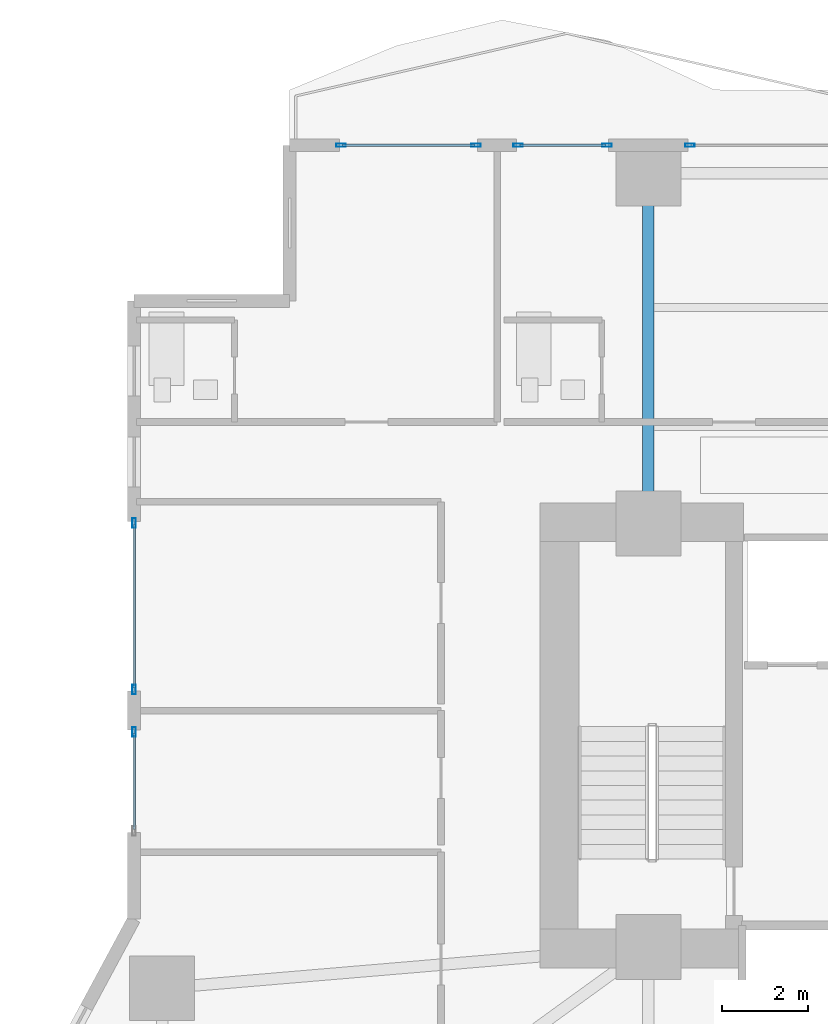
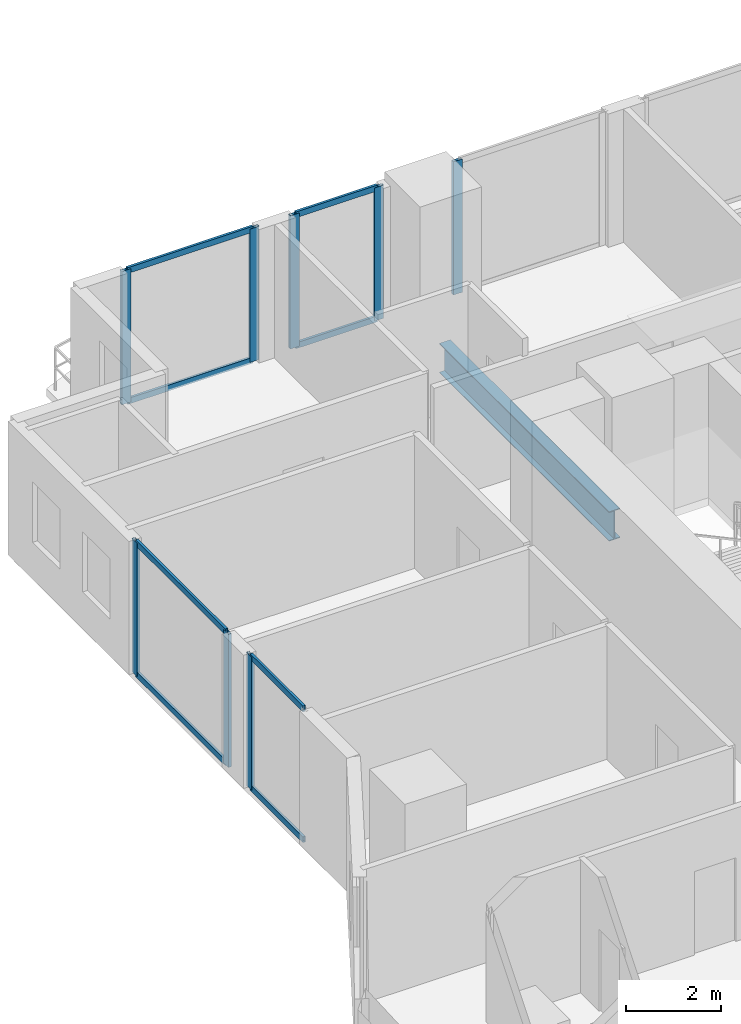
# One storey, part 13 of 29: 16 members, 1 beam, 5 elements without a shape of their own.
"""IFC4 building model written with IfcOpenShell, lengths in metres."""

from ifc_helpers import new_model, si_unit, direction, frame, origin, origin_2d, place, context, subcontext, project, spatial, hollow_rectangle, i_section, extrude, material, layer, layer_set, material_profile, profile_set, type_object, element, aggregate, save


model = new_model("IFC4")

# Units and contexts
model_context = context("Model", 3, precision=1e-05, world=origin(), true_north=direction((0.0, 1.0)))
body_context = subcontext(model_context, "Body", "Model", "MODEL_VIEW")
ifc_project = project(units=[si_unit("LENGTHUNIT", "METRE"), si_unit("AREAUNIT", "SQUARE_METRE"), si_unit("VOLUMEUNIT", "CUBIC_METRE"), si_unit("PLANEANGLEUNIT", "RADIAN"), si_unit("MASSUNIT", "GRAM", prefix="KILO")], contexts=[model_context])

# Site, building, storey
site_placement = place(None, origin())
site = spatial("IfcSite", under=ifc_project, at=site_placement, CompositionType="ELEMENT")
building_placement = place(site_placement, origin())
building = spatial("IfcBuilding", under=site, at=building_placement, Name="Zuhayl Quay Hotel", CompositionType="ELEMENT")
storey_placement = place(building_placement, frame((0.0, 0.0, 38.550048828125)))
storey = spatial("IfcBuildingStorey", under=building, at=storey_placement, Name="L08", CompositionType="ELEMENT", Elevation=38.550048828125)

# Beam
ifc_material_1 = material(Name="Steel ASTM A992 Grade 50", Category="steel")
ifc_material_profile_1 = material_profile(ifc_material_1, i_section(OverallWidth=0.26708984375, OverallDepth=0.761962890625, WebThickness=0.014404296875, FlangeThickness=0.021484375, at=origin_2d()), Name="W30X116")
ifc_profile_set_1 = profile_set([ifc_material_profile_1], Name="Steel ASTM A992 Grade 50")
beam_type = type_object("IfcBeamType", Name="BM_B1_W30X116", PredefinedType="BEAM", material=ifc_profile_set_1)
beam_placement = place(storey_placement, frame((-13.800048828125, 14.800048828125, -0.60107421875), z_axis=(0.0, 1.0, 0.0), x_axis=(-1.0, 0.0, 0.0)))
element("IfcBeam", 1, at=beam_placement, inside=storey, type_object=beam_type, Name="L08 Floor Beam FG_N_L08_1", PredefinedType="BEAM", context=body_context, shape_type="SweptSolid", body=[
    extrude(i_section(OverallWidth=0.26708984375, OverallDepth=0.761962890625, WebThickness=0.014404296875, FlangeThickness=0.021484375, at=origin_2d()), origin(), (0.0, 0.0, 1.0), 7.14990234375),
])

# Curtain wall, member
ifc_material_2 = material(Name="Anodised Aluminium 6063-T6", Category="aluminium")
ifc_layer = layer(ifc_material_2, 0.18994140625, Name="Anodised Aluminium 6063-T6", Category="aluminium")
ifc_layer_set = layer_set([ifc_layer], Name="Anodised Aluminium 6063-T6")
curtain_wall_type = type_object("IfcCurtainWallType", Name="CW_SYS_Z1", PredefinedType="USERDEFINED", material=ifc_layer_set)
curtain_wall_1_placement = place(storey_placement, origin())
curtain_wall_1 = element("IfcCurtainWall", 2, at=curtain_wall_1_placement, inside=storey, type_object=curtain_wall_type, Name="L08 Curtain Wall ENV_L08_E05_CW1", ObjectType="UNITISED CURTAIN WALL", PredefinedType="USERDEFINED")
ifc_material_3 = material(Name="Black-anodised aluminium 6063-T6", Category="aluminium")
ifc_material_profile_2 = material_profile(ifc_material_3, hollow_rectangle(XDim=0.074951171875, YDim=0.219970703125, WallThickness=0.00390625, at=origin_2d()), Name="ALU220X75")
ifc_profile_set_2 = profile_set([ifc_material_profile_2], Name="Black-anodised aluminium 6063-T6")
member_type_1 = type_object("IfcMemberType", Name="MB_CW_MUL_220", PredefinedType="MULLION", material=ifc_profile_set_2)
member_1_placement = place(storey_placement, frame((-25.699951171875, 9.532470703125, 0.0), z_axis=(0.0, 0.0, 1.0), x_axis=(-1.0, 0.0, 0.0)))
member_1 = element("IfcMember", 3, at=member_1_placement, type_object=member_type_1, Name="CW-Z1 mullion 2", PredefinedType="MULLION", context=body_context, shape_type="SweptSolid", body=[
    extrude(hollow_rectangle(XDim=0.074951171875, YDim=0.219970703125, WallThickness=0.00390625, at=origin_2d()), origin(), (0.0, 0.0, 1.0), 3.429931640625),
])

# Curtain wall, members
curtain_wall_2_placement = place(storey_placement, origin())
curtain_wall_2 = element("IfcCurtainWall", 4, at=curtain_wall_2_placement, inside=storey, type_object=curtain_wall_type, Name="L08 Curtain Wall ENV_L08_E05_CW2", ObjectType="UNITISED CURTAIN WALL", PredefinedType="USERDEFINED")
member_2_placement = place(storey_placement, frame((-25.699951171875, 10.507568359375, 0.0), z_axis=(0.0, 0.0, 1.0), x_axis=(-1.0, 0.0, 0.0)))
member_2 = element("IfcMember", 5, at=member_2_placement, type_object=member_type_1, Name="CW-Z1 mullion 1", PredefinedType="MULLION", context=body_context, shape_type="SweptSolid", body=[
    extrude(hollow_rectangle(XDim=0.074951171875, YDim=0.219970703125, WallThickness=0.00390625, at=origin_2d()), origin(), (0.0, 0.0, 1.0), 3.429931640625),
])
member_3_placement = place(storey_placement, frame((-25.699951171875, 14.362548828125, 0.0), z_axis=(0.0, 0.0, 1.0), x_axis=(-1.0, 0.0, 0.0)))
member_3 = element("IfcMember", 6, at=member_3_placement, type_object=member_type_1, Name="CW-Z1 mullion 2", PredefinedType="MULLION", context=body_context, shape_type="SweptSolid", body=[
    extrude(hollow_rectangle(XDim=0.074951171875, YDim=0.219970703125, WallThickness=0.00390625, at=origin_2d()), origin(), (0.0, 0.0, 1.0), 3.429931640625),
])

curtain_wall_3_placement = place(storey_placement, origin())
curtain_wall_3 = element("IfcCurtainWall", 7, at=curtain_wall_3_placement, inside=storey, type_object=curtain_wall_type, Name="L08 Curtain Wall ENV_L08_N_CW1", ObjectType="UNITISED CURTAIN WALL", PredefinedType="USERDEFINED")
member_4_placement = place(storey_placement, frame((-20.91259765625, 23.10009765625, 0.0), z_axis=(0.0, 0.0, 1.0), x_axis=(0.0, 1.0, 0.0)))
member_4 = element("IfcMember", 8, at=member_4_placement, type_object=member_type_1, Name="CW-Z1 mullion 1", PredefinedType="MULLION", context=body_context, shape_type="SweptSolid", body=[
    extrude(hollow_rectangle(XDim=0.074951171875, YDim=0.219970703125, WallThickness=0.00390625, at=origin_2d()), origin(), (0.0, 0.0, 1.0), 3.429931640625),
])
member_5_placement = place(storey_placement, frame((-17.78759765625, 23.10009765625, 0.0), z_axis=(0.0, 0.0, 1.0), x_axis=(0.0, 1.0, 0.0)))
member_5 = element("IfcMember", 9, at=member_5_placement, type_object=member_type_1, Name="CW-Z1 mullion 2", PredefinedType="MULLION", context=body_context, shape_type="SweptSolid", body=[
    extrude(hollow_rectangle(XDim=0.074951171875, YDim=0.219970703125, WallThickness=0.00390625, at=origin_2d()), origin(), (0.0, 0.0, 1.0), 3.429931640625),
])

curtain_wall_4_placement = place(storey_placement, origin())
curtain_wall_4 = element("IfcCurtainWall", 10, at=curtain_wall_4_placement, inside=storey, type_object=curtain_wall_type, Name="L08 Curtain Wall ENV_L08_N_CW2", ObjectType="UNITISED CURTAIN WALL", PredefinedType="USERDEFINED")
member_6_placement = place(storey_placement, frame((-16.8125, 23.10009765625, 0.0), z_axis=(0.0, 0.0, 1.0), x_axis=(0.0, 1.0, 0.0)))
member_6 = element("IfcMember", 11, at=member_6_placement, type_object=member_type_1, Name="CW-Z1 mullion 1", PredefinedType="MULLION", context=body_context, shape_type="SweptSolid", body=[
    extrude(hollow_rectangle(XDim=0.074951171875, YDim=0.219970703125, WallThickness=0.00390625, at=origin_2d()), origin(), (0.0, 0.0, 1.0), 3.429931640625),
])
member_7_placement = place(storey_placement, frame((-14.757568359375, 23.10009765625, 0.0), z_axis=(0.0, 0.0, 1.0), x_axis=(0.0, 1.0, 0.0)))
member_7 = element("IfcMember", 12, at=member_7_placement, type_object=member_type_1, Name="CW-Z1 mullion 2", PredefinedType="MULLION", context=body_context, shape_type="SweptSolid", body=[
    extrude(hollow_rectangle(XDim=0.074951171875, YDim=0.219970703125, WallThickness=0.00390625, at=origin_2d()), origin(), (0.0, 0.0, 1.0), 3.429931640625),
])

# Curtain wall, member
curtain_wall_5_placement = place(storey_placement, origin())
curtain_wall_5 = element("IfcCurtainWall", 13, at=curtain_wall_5_placement, inside=storey, type_object=curtain_wall_type, Name="L08 Curtain Wall ENV_L08_N_CW3", ObjectType="UNITISED CURTAIN WALL", PredefinedType="USERDEFINED")
member_8_placement = place(storey_placement, frame((-12.842529296875, 23.10009765625, 0.0), z_axis=(0.0, 0.0, 1.0), x_axis=(0.0, 1.0, 0.0)))
member_8 = element("IfcMember", 14, at=member_8_placement, type_object=member_type_1, Name="CW-Z1 mullion 1", PredefinedType="MULLION", context=body_context, shape_type="SweptSolid", body=[
    extrude(hollow_rectangle(XDim=0.074951171875, YDim=0.219970703125, WallThickness=0.00390625, at=origin_2d()), origin(), (0.0, 0.0, 1.0), 3.429931640625),
])
aggregate(curtain_wall_5, [member_8])

# Member
ifc_material_profile_3 = material_profile(ifc_material_3, hollow_rectangle(XDim=0.06005859375, YDim=0.14990234375, WallThickness=0.00341796875, at=origin_2d()), Name="ALU150X60")
ifc_profile_set_3 = profile_set([ifc_material_profile_3], Name="Black-anodised aluminium 6063-T6")
member_type_2 = type_object("IfcMemberType", Name="MB_CW_TRN_150", PredefinedType="USERDEFINED", material=ifc_profile_set_3)
member_9_placement = place(storey_placement, frame((-25.699951171875, 7.27490234375, 0.030029296875), z_axis=(0.0, 1.0, 0.0), x_axis=(-1.0, 0.0, 0.0)))
member_9 = element("IfcMember", 15, at=member_9_placement, type_object=member_type_2, Name="CW-Z1 transom 1.1", ObjectType="TRANSOM", PredefinedType="USERDEFINED", context=body_context, shape_type="SweptSolid", body=[
    extrude(hollow_rectangle(XDim=0.06005859375, YDim=0.14990234375, WallThickness=0.00341796875, at=origin_2d()), origin(), (0.0, 0.0, 1.0), 2.22021484375),
])

member_10_placement = place(storey_placement, frame((-25.699951171875, 7.27490234375, 3.39990234375), z_axis=(0.0, 1.0, 0.0), x_axis=(-1.0, 0.0, 0.0)))
member_10 = element("IfcMember", 16, at=member_10_placement, type_object=member_type_2, Name="CW-Z1 transom 1.2", ObjectType="TRANSOM", PredefinedType="USERDEFINED", context=body_context, shape_type="SweptSolid", body=[
    extrude(hollow_rectangle(XDim=0.06005859375, YDim=0.14990234375, WallThickness=0.00341796875, at=origin_2d()), origin(), (0.0, 0.0, 1.0), 2.22021484375),
])

aggregate(curtain_wall_1, [member_1, member_9, member_10])

member_11_placement = place(storey_placement, frame((-25.699951171875, 10.544921875, 0.030029296875), z_axis=(0.0, 1.0, 0.0), x_axis=(-1.0, 0.0, 0.0)))
member_11 = element("IfcMember", 17, at=member_11_placement, type_object=member_type_2, Name="CW-Z1 transom 1.1", ObjectType="TRANSOM", PredefinedType="USERDEFINED", context=body_context, shape_type="SweptSolid", body=[
    extrude(hollow_rectangle(XDim=0.06005859375, YDim=0.14990234375, WallThickness=0.00341796875, at=origin_2d()), origin(), (0.0, 0.0, 1.0), 3.780029296875),
])

member_12_placement = place(storey_placement, frame((-25.699951171875, 10.544921875, 3.39990234375), z_axis=(0.0, 1.0, 0.0), x_axis=(-1.0, 0.0, 0.0)))
member_12 = element("IfcMember", 18, at=member_12_placement, type_object=member_type_2, Name="CW-Z1 transom 1.2", ObjectType="TRANSOM", PredefinedType="USERDEFINED", context=body_context, shape_type="SweptSolid", body=[
    extrude(hollow_rectangle(XDim=0.06005859375, YDim=0.14990234375, WallThickness=0.00341796875, at=origin_2d()), origin(), (0.0, 0.0, 1.0), 3.780029296875),
])

aggregate(curtain_wall_2, [member_2, member_3, member_11, member_12])

member_13_placement = place(storey_placement, frame((-20.875, 23.10009765625, 0.030029296875), z_axis=(1.0, 0.0, 0.0), x_axis=(0.0, 1.0, 0.0)))
member_13 = element("IfcMember", 19, at=member_13_placement, type_object=member_type_2, Name="CW-Z1 transom 1.1", ObjectType="TRANSOM", PredefinedType="USERDEFINED", context=body_context, shape_type="SweptSolid", body=[
    extrude(hollow_rectangle(XDim=0.06005859375, YDim=0.14990234375, WallThickness=0.00341796875, at=origin_2d()), origin(), (0.0, 0.0, 1.0), 3.050048828125),
])

member_14_placement = place(storey_placement, frame((-20.875, 23.10009765625, 3.39990234375), z_axis=(1.0, 0.0, 0.0), x_axis=(0.0, 1.0, 0.0)))
member_14 = element("IfcMember", 20, at=member_14_placement, type_object=member_type_2, Name="CW-Z1 transom 1.2", ObjectType="TRANSOM", PredefinedType="USERDEFINED", context=body_context, shape_type="SweptSolid", body=[
    extrude(hollow_rectangle(XDim=0.06005859375, YDim=0.14990234375, WallThickness=0.00341796875, at=origin_2d()), origin(), (0.0, 0.0, 1.0), 3.050048828125),
])

aggregate(curtain_wall_3, [member_4, member_5, member_13, member_14])

member_15_placement = place(storey_placement, frame((-16.77490234375, 23.10009765625, 0.030029296875), z_axis=(1.0, 0.0, 0.0), x_axis=(0.0, 1.0, 0.0)))
member_15 = element("IfcMember", 21, at=member_15_placement, type_object=member_type_2, Name="CW-Z1 transom 1.1", ObjectType="TRANSOM", PredefinedType="USERDEFINED", context=body_context, shape_type="SweptSolid", body=[
    extrude(hollow_rectangle(XDim=0.06005859375, YDim=0.14990234375, WallThickness=0.00341796875, at=origin_2d()), origin(), (0.0, 0.0, 1.0), 1.97998046875),
])

member_16_placement = place(storey_placement, frame((-16.77490234375, 23.10009765625, 3.39990234375), z_axis=(1.0, 0.0, 0.0), x_axis=(0.0, 1.0, 0.0)))
member_16 = element("IfcMember", 22, at=member_16_placement, type_object=member_type_2, Name="CW-Z1 transom 1.2", ObjectType="TRANSOM", PredefinedType="USERDEFINED", context=body_context, shape_type="SweptSolid", body=[
    extrude(hollow_rectangle(XDim=0.06005859375, YDim=0.14990234375, WallThickness=0.00341796875, at=origin_2d()), origin(), (0.0, 0.0, 1.0), 1.97998046875),
])

aggregate(curtain_wall_4, [member_6, member_7, member_15, member_16])

save(model, "model.ifc")
